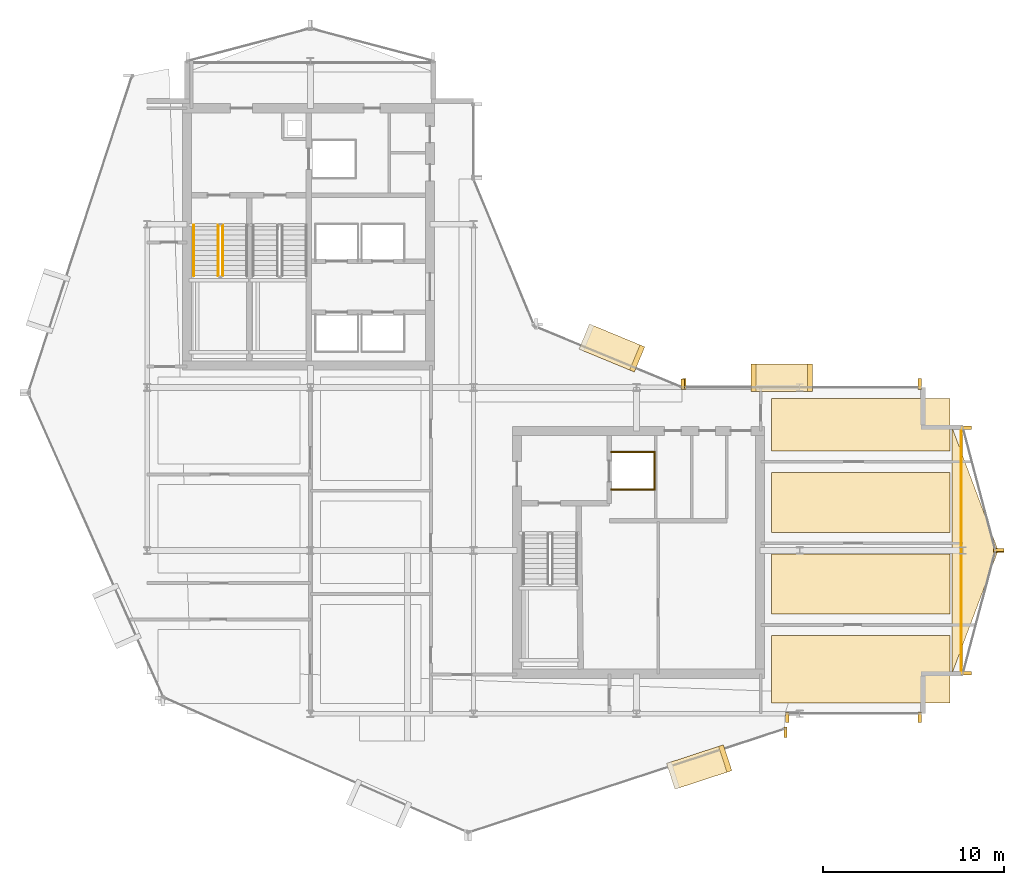
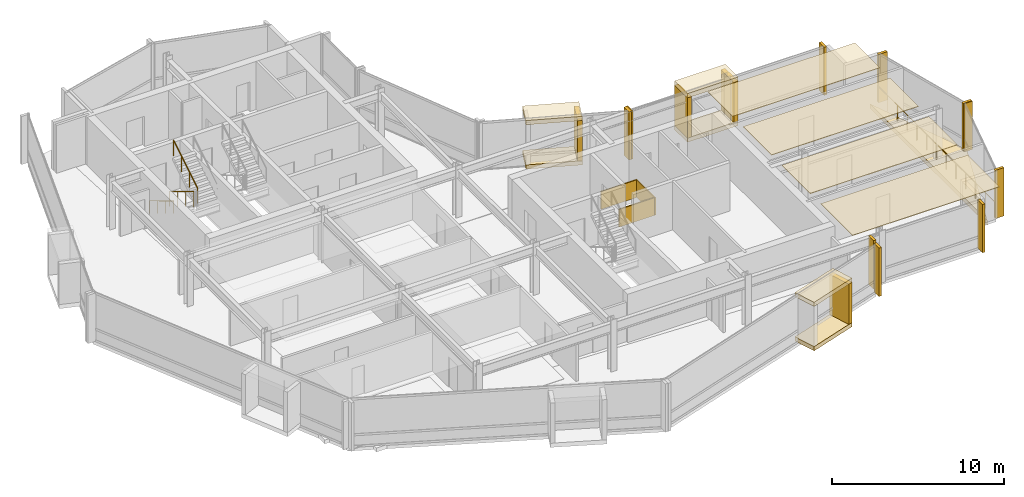
# One storey, part 27 of 28: 28 coverings, 4 railings.
"""IFC4 building model written with IfcOpenShell, lengths in metres."""

from ifc_helpers import new_model, si_unit, direction, frame, origin, origin_2d, place, context, subcontext, project, spatial, polyline, rectangle, circle, outline, extrude, material, layer, layer_set, type_object, element, save


model = new_model("IFC4")

# Units and contexts
model_context = context("Model", 3, precision=1e-05, world=origin(), true_north=direction((0.0, 1.0)))
body_context = subcontext(model_context, "Body", "Model", "MODEL_VIEW")
ifc_project = project(units=[si_unit("LENGTHUNIT", "METRE"), si_unit("AREAUNIT", "SQUARE_METRE"), si_unit("VOLUMEUNIT", "CUBIC_METRE"), si_unit("PLANEANGLEUNIT", "RADIAN"), si_unit("MASSUNIT", "GRAM", prefix="KILO")], contexts=[model_context])

# Site, building, storey
site_placement = place(None, origin())
site = spatial("IfcSite", under=ifc_project, at=site_placement, CompositionType="ELEMENT")
building_placement = place(site_placement, origin())
building = spatial("IfcBuilding", under=site, at=building_placement, Name="Solvaryn Broadcast Tower", CompositionType="ELEMENT")
storey_placement = place(building_placement, frame((0.0, 0.0, 217.300048828125)))
storey = spatial("IfcBuildingStorey", under=building, at=storey_placement, Name="L54", CompositionType="ELEMENT", Elevation=217.300048828125)

# Coverings
ifc_material_1 = material(Name="Micro-Perforated Acoustic Gypsum Ceiling", Category="concrete")
ifc_layer_1 = layer(ifc_material_1, 0.0400390625)
ifc_layer_set_1 = layer_set([ifc_layer_1], Name="CV-CEIL-ACOUSTIC")
covering_type_1 = type_object("IfcCoveringType", Name="CV-CEIL-ACOUSTIC", PredefinedType="CEILING", material=ifc_layer_set_1)
covering_1_placement = place(storey_placement, frame((0.0, 0.0, 3.3798828125)))
element("IfcCovering", 1, at=covering_1_placement, inside=storey, type_object=covering_type_1, Name="L54 Room Acoustic Ceiling 7", PredefinedType="CEILING", context=body_context, shape_type="SweptSolid", body=[
    extrude(outline(polyline([(43.449951171875, 9.60009765625), (53.300048828125, 9.60009765625), (53.300048828125, 13.300048828125), (43.449951171875, 13.300048828125), (43.449951171875, 9.60009765625)])), origin(), (0.0, 0.0, 1.0), 0.0400390625),
])
covering_2_placement = place(storey_placement, frame((0.0, 0.0, 3.3798828125)))
element("IfcCovering", 2, at=covering_2_placement, inside=storey, type_object=covering_type_1, Name="L54 Room Acoustic Ceiling 8", PredefinedType="CEILING", context=body_context, shape_type="SweptSolid", body=[
    extrude(outline(polyline([(43.449951171875, 14.5), (53.300048828125, 14.5), (53.300048828125, 17.800048828125), (43.449951171875, 17.800048828125), (43.449951171875, 14.5)])), origin(), (0.0, 0.0, 1.0), 0.0400390625),
])
covering_3_placement = place(storey_placement, frame((0.0, 0.0, 3.3798828125)))
element("IfcCovering", 3, at=covering_3_placement, inside=storey, type_object=covering_type_1, Name="L54 Room Acoustic Ceiling 9", PredefinedType="CEILING", context=body_context, shape_type="SweptSolid", body=[
    extrude(outline(polyline([(43.449951171875, 19.0), (53.300048828125, 19.0), (53.300048828125, 22.300048828125), (43.449951171875, 22.300048828125), (43.449951171875, 19.0)])), origin(), (0.0, 0.0, 1.0), 0.0400390625),
])
covering_4_placement = place(storey_placement, frame((0.0, 0.0, 3.3798828125)))
element("IfcCovering", 4, at=covering_4_placement, inside=storey, type_object=covering_type_1, Name="L54 Room Acoustic Ceiling 10", PredefinedType="CEILING", context=body_context, shape_type="SweptSolid", body=[
    extrude(outline(polyline([(43.449951171875, 23.5), (53.300048828125, 23.5), (53.300048828125, 26.39990234375), (43.449951171875, 26.39990234375), (43.449951171875, 23.5)])), origin(), (0.0, 0.0, 1.0), 0.0400390625),
])
ifc_material_2 = material(Name="Fire-Rated Gypsum Shaftwall Liner", Category="concrete")
ifc_layer_2 = layer(ifc_material_2, 0.080078125)
ifc_layer_set_2 = layer_set([ifc_layer_2], Name="CV-SHAFT-LINER")
covering_type_2 = type_object("IfcCoveringType", Name="CV-SHAFT-LINER", PredefinedType="CLADDING", material=ifc_layer_set_2)
for number, where, z_axis, x_axis, name in (
    (5, (35.800048828125, 23.43994140625, 0.0), (0.0, 0.0, 1.0), (1.0, 0.0, 0.0), "L54 FL2 Hoistway Shaft Liner North"),
    (6, (35.800048828125, 21.360107421875, 0.0), (0.0, 0.0, 1.0), (1.0, 0.0, 0.0), "L54 FL2 Hoistway Shaft Liner South"),
):
    element("IfcCovering", number, at=place(storey_placement, frame(where, z_axis=z_axis, x_axis=x_axis)), inside=storey, type_object=covering_type_2, Name=name, PredefinedType="CLADDING", context=body_context, shape_type="SweptSolid", body=[
        extrude(rectangle(XDim=2.4599609375, YDim=0.080078125, at=origin_2d()), origin(), (0.0, 0.0, 1.0), 1.25),
    ])
covering_5_placement = place(storey_placement, frame((36.989990234375, 22.39990234375, 0.0), z_axis=(0.0, 0.0, 1.0), x_axis=(1.0, 0.0, 0.0)))
element("IfcCovering", 7, at=covering_5_placement, inside=storey, type_object=covering_type_2, Name="L54 FL2 Hoistway Shaft Liner East", PredefinedType="CLADDING", context=body_context, shape_type="SweptSolid", body=[
    extrude(rectangle(XDim=0.080078125, YDim=2.159912109375, at=origin_2d()), origin(), (0.0, 0.0, 1.0), 1.25),
])
ifc_material_3 = material(Name="Glazed Architectural Terracotta Rainscreen Cladding", Category="masonry")
ifc_layer_3 = layer(ifc_material_3, 0.280029296875)
ifc_layer_set_3 = layer_set([ifc_layer_3], Name="CV-TC-CLAD")
covering_type_3 = type_object("IfcCoveringType", Name="CV-TC-CLAD", PredefinedType="CLADDING", material=ifc_layer_set_3)
for number, where, z_axis, x_axis, name in (
    (8, (39.4541015625, 6.054931640625, 3.1298828125), (0.0, 0.0, 1.0), (0.950244253402, 0.311505792684, 0.0), "L54 Projecting Stone Window Box Hood 4"),
    (9, (39.4541015625, 6.054931640625, -0.01025390625), (0.0, 0.0, 1.0), (0.950244253402, 0.311505792684, 0.0), "L54 Projecting Stone Window Box Sill 4"),
):
    element("IfcCovering", number, at=place(storey_placement, frame(where, z_axis=z_axis, x_axis=x_axis)), inside=storey, type_object=covering_type_3, Name=name, PredefinedType="CLADDING", context=body_context, shape_type="SweptSolid", body=[
        extrude(rectangle(XDim=3.300048828125, YDim=1.5, at=origin_2d()), origin(), (0.0, 0.0, 1.0), 0.300048828125),
    ])
covering_6_placement = place(storey_placement, frame((40.888916015625, 6.525390625, 0.27978515625), z_axis=(0.0, 0.0, 1.0), x_axis=(0.950244253402, 0.311505792684, 0.0)))
element("IfcCovering", 10, at=covering_6_placement, inside=storey, type_object=covering_type_3, Name="L54 Projecting Stone Window Box Cheek 4-2", PredefinedType="CLADDING", context=body_context, shape_type="SweptSolid", body=[
    extrude(rectangle(XDim=0.280029296875, YDim=1.5, at=origin_2d()), origin(), (0.0, 0.0, 1.0), 2.860107421875),
])
for number, where, z_axis, x_axis, name in (
    (11, (34.636962890625, 29.174072265625, 3.1298828125), (0.0, 0.0, 1.0), (-0.923879532511, 0.382683432365, 0.0), "L54 Projecting Stone Window Box Hood 5"),
    (12, (34.636962890625, 29.174072265625, -0.01025390625), (0.0, 0.0, 1.0), (-0.923879532511, 0.382683432365, 0.0), "L54 Projecting Stone Window Box Sill 5"),
):
    element("IfcCovering", number, at=place(storey_placement, frame(where, z_axis=z_axis, x_axis=x_axis)), inside=storey, type_object=covering_type_3, Name=name, PredefinedType="CLADDING", context=body_context, shape_type="SweptSolid", body=[
        extrude(rectangle(XDim=3.300048828125, YDim=1.5, at=origin_2d()), origin(), (0.0, 0.0, 1.0), 0.300048828125),
    ])
covering_7_placement = place(storey_placement, frame((36.031982421875, 28.59619140625, 0.27978515625), z_axis=(0.0, 0.0, 1.0), x_axis=(-0.923879532511, 0.382683432365, 0.0)))
element("IfcCovering", 13, at=covering_7_placement, inside=storey, type_object=covering_type_3, Name="L54 Projecting Stone Window Box Cheek 5-1", PredefinedType="CLADDING", context=body_context, shape_type="SweptSolid", body=[
    extrude(rectangle(XDim=0.280029296875, YDim=1.5, at=origin_2d()), origin(), (0.0, 0.0, 1.0), 2.860107421875),
])
for number, where, z_axis, x_axis, name in (
    (14, (44.0, 27.530029296875, 3.1298828125), (0.0, 0.0, 1.0), (1.0, 0.0, 0.0), "L54 Projecting Stone Window Box Hood 6"),
    (15, (44.0, 27.530029296875, -0.01025390625), (0.0, 0.0, 1.0), (1.0, 0.0, 0.0), "L54 Projecting Stone Window Box Sill 6"),
):
    element("IfcCovering", number, at=place(storey_placement, frame(where, z_axis=z_axis, x_axis=x_axis)), inside=storey, type_object=covering_type_3, Name=name, PredefinedType="CLADDING", context=body_context, shape_type="SweptSolid", body=[
        extrude(rectangle(XDim=3.39990234375, YDim=1.5, at=origin_2d()), origin(), (0.0, 0.0, 1.0), 0.300048828125),
    ])
for number, where, z_axis, x_axis, name in (
    (16, (42.43994140625, 27.530029296875, 0.27978515625), (0.0, 0.0, 1.0), (1.0, 0.0, 0.0), "L54 Projecting Stone Window Box Cheek 6-1"),
    (17, (45.56005859375, 27.530029296875, 0.27978515625), (0.0, 0.0, 1.0), (1.0, 0.0, 0.0), "L54 Projecting Stone Window Box Cheek 6-2"),
):
    element("IfcCovering", number, at=place(storey_placement, frame(where, z_axis=z_axis, x_axis=x_axis)), inside=storey, type_object=covering_type_3, Name=name, PredefinedType="CLADDING", context=body_context, shape_type="SweptSolid", body=[
        extrude(rectangle(XDim=0.280029296875, YDim=1.5, at=origin_2d()), origin(), (0.0, 0.0, 1.0), 2.860107421875),
    ])
ifc_material_4 = material(Name="Extruded Architectural Terracotta Fin", Category="masonry")
ifc_layer_4 = layer(ifc_material_4, 0.179931640625)
ifc_layer_set_4 = layer_set([ifc_layer_4], Name="CV-TC-FIN")
covering_type_4 = type_object("IfcCoveringType", Name="CV-TC-FIN", PredefinedType="USERDEFINED", material=ifc_layer_set_4)
for number, where, z_axis, x_axis, name in (
    (18, (44.209716796875, 7.982666015625, 0.0), (0.0, 0.0, 1.0), (1.0, 0.0, 0.0), "L54 Terracotta Vertical Fin FIN-L54-DR4-M01"),
    (19, (38.541259765625, 27.177978515625, 0.0), (0.0, 0.0, 1.0), (1.0, 0.0, 0.0), "L54 Terracotta Vertical Fin FIN-L54-CN1-M00"),
    (20, (44.31201171875, 8.8125, 0.0), (0.0, 0.0, 1.0), (1.0, 0.0, 0.0), "L54 Terracotta Vertical Fin FIN-L54-S2-M00"),
    (21, (51.6201171875, 8.8125, 0.0), (0.0, 0.0, 1.0), (1.0, 0.0, 0.0), "L54 Terracotta Vertical Fin FIN-L54-S2-M01"),
):
    element("IfcCovering", number, at=place(storey_placement, frame(where, z_axis=z_axis, x_axis=x_axis)), inside=storey, type_object=covering_type_4, Name=name, ObjectType="FIN", PredefinedType="USERDEFINED", context=body_context, shape_type="SweptSolid", body=[
        extrude(rectangle(XDim=0.179931640625, YDim=0.580078125, at=origin_2d()), origin(), (0.0, 0.0, 1.0), 3.419921875),
    ])
for number, where, z_axis, x_axis, name in (
    (22, (54.1953125, 24.77099609375, 0.0), (0.0, 0.0, 1.0), (1.0, 0.0, 0.0), "L54 Terracotta Vertical Fin FIN-L54-ET1-M00"),
    (23, (55.979736328125, 18.029052734375, 0.0), (0.0, 0.0, 1.0), (1.0, 0.0, 0.0), "L54 Terracotta Vertical Fin FIN-L54-ET1-M01"),
    (24, (55.979736328125, 17.970947265625, 0.0), (0.0, 0.0, 1.0), (1.0, 0.0, 0.0), "L54 Terracotta Vertical Fin FIN-L54-ET2-M00"),
    (25, (54.1953125, 11.22900390625, 0.0), (0.0, 0.0, 1.0), (1.0, 0.0, 0.0), "L54 Terracotta Vertical Fin FIN-L54-ET2-M01"),
):
    element("IfcCovering", number, at=place(storey_placement, frame(where, z_axis=z_axis, x_axis=x_axis)), inside=storey, type_object=covering_type_4, Name=name, ObjectType="FIN", PredefinedType="USERDEFINED", context=body_context, shape_type="SweptSolid", body=[
        extrude(rectangle(XDim=0.580078125, YDim=0.179931640625, at=origin_2d()), origin(), (0.0, 0.0, 1.0), 3.419921875),
    ])
for number, where, z_axis, x_axis, name in (
    (26, (38.6298828125, 27.1875, 0.0), (0.0, 0.0, 1.0), (1.0, 0.0, 0.0), "L54 Terracotta Vertical Fin FIN-L54-IH-M00"),
    (27, (51.6201171875, 27.1875, 0.0), (0.0, 0.0, 1.0), (1.0, 0.0, 0.0), "L54 Terracotta Vertical Fin FIN-L54-IH-M01"),
):
    element("IfcCovering", number, at=place(storey_placement, frame(where, z_axis=z_axis, x_axis=x_axis)), inside=storey, type_object=covering_type_4, Name=name, ObjectType="FIN", PredefinedType="USERDEFINED", context=body_context, shape_type="SweptSolid", body=[
        extrude(rectangle(XDim=0.179931640625, YDim=0.580078125, at=origin_2d()), origin(), (0.0, 0.0, 1.0), 3.419921875),
    ])
ifc_material_5 = material(Name="Sculpted Architectural Terracotta Wave Fascia", Category="masonry")
ifc_layer_5 = layer(ifc_material_5, 0.340087890625)
ifc_layer_set_5 = layer_set([ifc_layer_5], Name="CV-WAVE-TRAY")
covering_type_5 = type_object("IfcCoveringType", Name="CV-WAVE-TRAY", PredefinedType="CLADDING", material=ifc_layer_set_5)
covering_8_placement = place(storey_placement, frame((0.0, 0.0, -0.300048828125)))
element("IfcCovering", 28, at=covering_8_placement, inside=storey, type_object=covering_type_5, Name="L54 East Curved Wing Deck", PredefinedType="CLADDING", context=body_context, shape_type="SweptSolid", body=[
    extrude(outline(polyline([(53.39990234375, 11.199951171875), (55.949951171875, 18.0), (53.39990234375, 24.800048828125), (53.39990234375, 11.199951171875)])), origin(), (0.0, 0.0, 1.0), 0.330078125),
])

# Railings
ifc_material_6 = material(Name="Painted Steel Stair Well Guard", Category="steel")
railing_type_1 = type_object("IfcRailingType", Name="RL-STAIR-GUARD", PredefinedType="BALUSTRADE", material=ifc_material_6)
railing_1_placement = place(storey_placement, frame((12.909912109375, 35.9599609375, 0.168212890625)))
element("IfcRailing", 29, at=railing_1_placement, inside=storey, type_object=railing_type_1, Name="L54 ST1 stair guard 1", PredefinedType="BALUSTRADE", context=body_context, shape_type="SweptSolid", body=[
    extrude(circle(Radius=0.02392578125, at=origin_2d()), frame((0.0, 0.0, 1.076171875), z_axis=(0.0, -0.857275202839, 0.514858452973), x_axis=(1.0, 0.0, 0.0)), (0.0, 0.0, 1.0), 3.26611328125),
    extrude(circle(Radius=0.02099609375, at=origin_2d()), origin(), (0.0, 0.0, 1.0), 1.052001953125),
    extrude(circle(Radius=0.02099609375, at=origin_2d()), frame((0.0, -0.933349609375, 0.560546875)), (0.0, 0.0, 1.0), 1.052001953125),
    extrude(circle(Radius=0.02099609375, at=origin_2d()), frame((0.0, -1.86669921875, 1.12109375)), (0.0, 0.0, 1.0), 1.052001953125),
    extrude(circle(Radius=0.02099609375, at=origin_2d()), frame((0.0, -2.800048828125, 1.681640625)), (0.0, 0.0, 1.0), 1.052001953125),
])
railing_2_placement = place(storey_placement, frame((13.159912109375, 33.159912109375, 2.01806640625)))
element("IfcRailing", 30, at=railing_2_placement, inside=storey, type_object=railing_type_1, Name="L54 ST1 stair guard 3", PredefinedType="BALUSTRADE", context=body_context, shape_type="SweptSolid", body=[
    extrude(circle(Radius=0.02392578125, at=origin_2d()), frame((0.0, 0.0, 1.076171875), z_axis=(0.0, 0.857242210791, 0.514913383045), x_axis=(-1.0, 0.0, 0.0)), (0.0, 0.0, 1.0), 3.266357421875),
    extrude(circle(Radius=0.02099609375, at=origin_2d()), origin(), (0.0, 0.0, 1.0), 1.052001953125),
    extrude(circle(Radius=0.02099609375, at=origin_2d()), frame((0.0, 0.933349609375, 0.560546875)), (0.0, 0.0, 1.0), 1.052001953125),
    extrude(circle(Radius=0.02099609375, at=origin_2d()), frame((0.0, 1.86669921875, 1.121337890625)), (0.0, 0.0, 1.0), 1.052001953125),
    extrude(circle(Radius=0.02099609375, at=origin_2d()), frame((0.0, 2.800048828125, 1.681884765625)), (0.0, 0.0, 1.0), 1.052001953125),
])
ifc_material_7 = material(Name="Brushed Stainless Steel Tubular Handrail", Category="steel")
railing_type_2 = type_object("IfcRailingType", Name="RL-STAIR-HANDRAIL", PredefinedType="HANDRAIL", material=ifc_material_7)
railing_3_placement = place(storey_placement, frame((11.570068359375, 35.9599609375, 0.168212890625)))
element("IfcRailing", 31, at=railing_3_placement, inside=storey, type_object=railing_type_2, Name="L54 ST1 stair handrail 1", PredefinedType="HANDRAIL", context=body_context, shape_type="SweptSolid", body=[
    extrude(circle(Radius=0.02392578125, at=origin_2d()), frame((0.0, 0.0, 0.8759765625), z_axis=(0.0, -0.857275202839, 0.514858452973), x_axis=(1.0, 0.0, 0.0)), (0.0, 0.0, 1.0), 3.26611328125),
    extrude(circle(Radius=0.02099609375, at=origin_2d()), origin(), (0.0, 0.0, 1.0), 0.851806640625),
    extrude(circle(Radius=0.02099609375, at=origin_2d()), frame((0.0, -0.933349609375, 0.560546875)), (0.0, 0.0, 1.0), 0.851806640625),
    extrude(circle(Radius=0.02099609375, at=origin_2d()), frame((0.0, -1.86669921875, 1.12109375)), (0.0, 0.0, 1.0), 0.851806640625),
    extrude(circle(Radius=0.02099609375, at=origin_2d()), frame((0.0, -2.800048828125, 1.681640625)), (0.0, 0.0, 1.0), 0.851806640625),
])
ifc_material_8 = material(Name="Stainless Steel and Laminated Glass Guard", Category="steel")
railing_type_3 = type_object("IfcRailingType", Name="RL-TER-1150", PredefinedType="BALUSTRADE", material=ifc_material_8)
railing_4_placement = place(storey_placement, frame((53.919921875, 11.199951171875, 0.0)))
element("IfcRailing", 32, at=railing_4_placement, inside=storey, type_object=railing_type_3, Name="L54 East Wing Spandrel Edge Guard", PredefinedType="BALUSTRADE", context=body_context, shape_type="SweptSolid", body=[
    extrude(circle(Radius=0.02392578125, at=origin_2d()), frame((0.0, 0.0, 1.1259765625), z_axis=(0.0, 1.0, 0.0), x_axis=(-1.0, 0.0, 0.0)), (0.0, 0.0, 1.0), 13.60009765625),
    extrude(circle(Radius=0.02099609375, at=origin_2d()), origin(), (0.0, 0.0, 1.0), 1.101806640625),
    extrude(circle(Radius=0.02099609375, at=origin_2d()), frame((0.0, 1.13330078125, 0.0)), (0.0, 0.0, 1.0), 1.101806640625),
    extrude(circle(Radius=0.02099609375, at=origin_2d()), frame((0.0, 2.2666015625, 0.0)), (0.0, 0.0, 1.0), 1.101806640625),
    extrude(circle(Radius=0.02099609375, at=origin_2d()), frame((0.0, 3.39990234375, 0.0)), (0.0, 0.0, 1.0), 1.101806640625),
    extrude(circle(Radius=0.02099609375, at=origin_2d()), frame((0.0, 4.533447265625, 0.0)), (0.0, 0.0, 1.0), 1.101806640625),
    extrude(circle(Radius=0.02099609375, at=origin_2d()), frame((0.0, 5.666748046875, 0.0)), (0.0, 0.0, 1.0), 1.101806640625),
    extrude(circle(Radius=0.02099609375, at=origin_2d()), frame((0.0, 6.800048828125, 0.0)), (0.0, 0.0, 1.0), 1.101806640625),
    extrude(circle(Radius=0.02099609375, at=origin_2d()), frame((0.0, 7.933349609375, 0.0)), (0.0, 0.0, 1.0), 1.101806640625),
    extrude(circle(Radius=0.02099609375, at=origin_2d()), frame((0.0, 9.066650390625, 0.0)), (0.0, 0.0, 1.0), 1.101806640625),
    extrude(circle(Radius=0.02099609375, at=origin_2d()), frame((0.0, 10.2001953125, 0.0)), (0.0, 0.0, 1.0), 1.101806640625),
    extrude(circle(Radius=0.02099609375, at=origin_2d()), frame((0.0, 11.33349609375, 0.0)), (0.0, 0.0, 1.0), 1.101806640625),
    extrude(circle(Radius=0.02099609375, at=origin_2d()), frame((0.0, 12.466796875, 0.0)), (0.0, 0.0, 1.0), 1.101806640625),
    extrude(circle(Radius=0.02099609375, at=origin_2d()), frame((0.0, 13.60009765625, 0.0)), (0.0, 0.0, 1.0), 1.101806640625),
])

save(model, "model.ifc")
